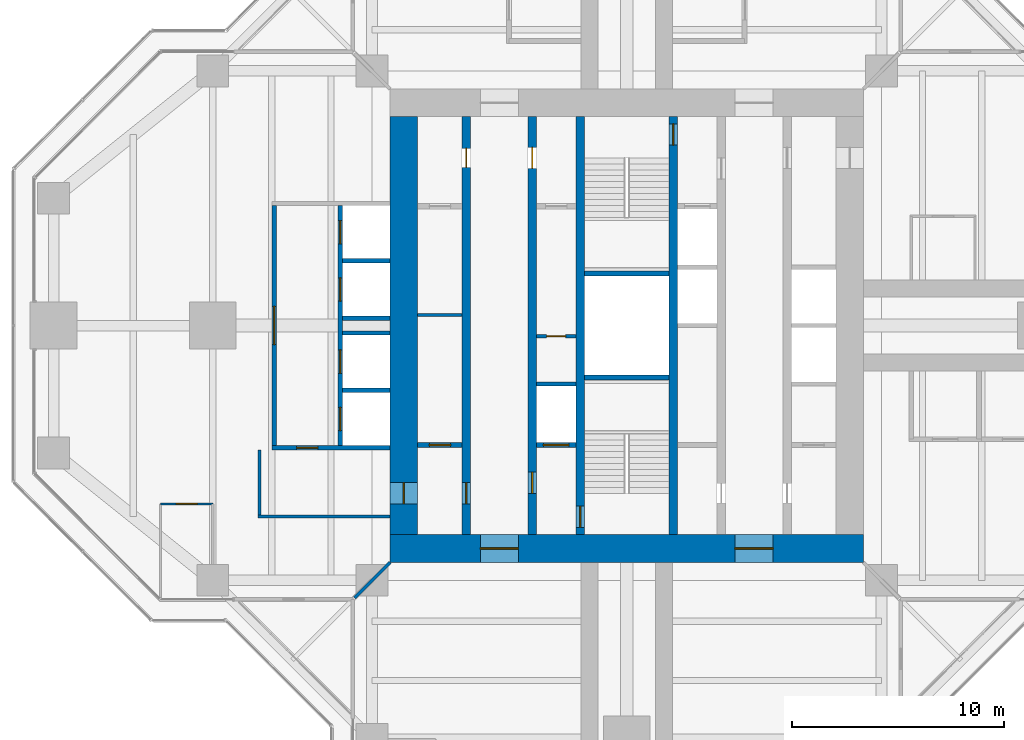
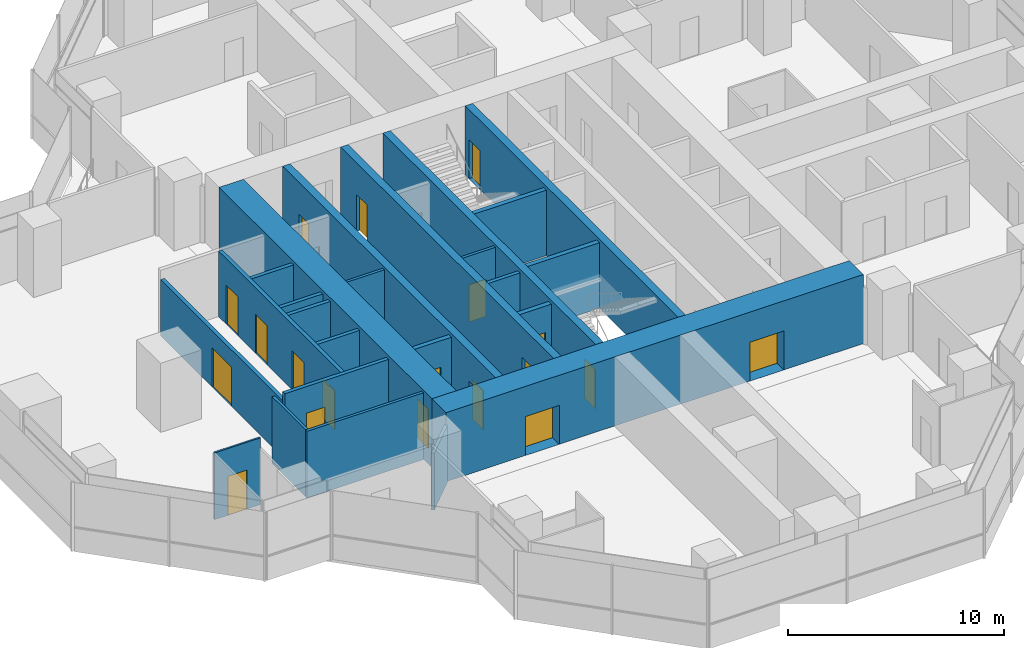
# One storey, part 13 of 17: 24 walls, 19 doors, 19 openings.
"""IFC4 building model written with IfcOpenShell, lengths in metres."""

from ifc_helpers import new_model, si_unit, direction, frame, frame_2d, origin, place, context, subcontext, project, spatial, rectangle, extrude, material, layer, layer_set, type_object, element, fill, save


model = new_model("IFC4")

# Units and contexts
model_context = context("Model", 3, precision=1e-05, world=origin(), true_north=direction((0.0, 1.0)))
body_context = subcontext(model_context, "Body", "Model", "MODEL_VIEW")
ifc_project = project(units=[si_unit("LENGTHUNIT", "METRE"), si_unit("AREAUNIT", "SQUARE_METRE"), si_unit("VOLUMEUNIT", "CUBIC_METRE"), si_unit("PLANEANGLEUNIT", "RADIAN"), si_unit("MASSUNIT", "GRAM", prefix="KILO")], contexts=[model_context])

# Site, building, storey
site_placement = place(None, origin())
site = spatial("IfcSite", under=ifc_project, at=site_placement, CompositionType="ELEMENT")
building_placement = place(site_placement, origin())
building = spatial("IfcBuilding", under=site, at=building_placement, Name="Mizan Broadcast Tower", CompositionType="ELEMENT")
storey_placement = place(building_placement, frame((0.0, 0.0, 232.199951171875)))
storey = spatial("IfcBuildingStorey", under=building, at=storey_placement, Name="L54", CompositionType="ELEMENT", Elevation=232.199951171875)

# Wall, openings, doors
ifc_material_1 = material(Name="Concrete C70/85", Category="concrete")
ifc_layer_1 = layer(ifc_material_1, 0.39990234375)
ifc_layer_set_1 = layer_set([ifc_layer_1], Name="Concrete C70/85")
wall_type_1 = type_object("IfcWallType", Name="CORE INTERNAL WALL 400", PredefinedType="SHEAR", material=ifc_layer_set_1)
wall_1_placement = place(storey_placement, frame((-7.550048828125, -9.85009765625, 0.0), z_axis=(0.0, 0.0, 1.0), x_axis=(0.0, 1.0, 0.0)))
wall_1 = element("IfcWall", 1, at=wall_1_placement, inside=storey, type_object=wall_type_1, Name="Core wall CORE/XW1", PredefinedType="SHEAR", context=body_context, shape_type="SweptSolid", body=[
    extrude(rectangle(XDim=19.7001953125, YDim=0.39990234375, at=frame_2d((9.85009765625, 0.0))), origin(), (0.0, 0.0, 1.0), 3.900146484375),
])
opening_1_placement = place(wall_1_placement, frame((1.449951171875, 0.0, 0.0)))
opening_1 = element("IfcOpeningElement", 2, at=opening_1_placement, cuts=wall_1, Name="Opening D10F", PredefinedType="OPENING", context=body_context, shape_type="SweptSolid", body=[
    extrude(rectangle(XDim=1.0, YDim=2.199951171875, at=frame_2d((0.5, 1.10009765625))), frame((0.0, 0.2099609375, 0.0), z_axis=(0.0, -1.0, 0.0), x_axis=(1.0, 0.0, 0.0)), (0.0, 0.0, 1.0), 0.419921875),
])
opening_2_placement = place(wall_1_placement, frame((17.300048828125, 0.0, 0.0)))
opening_2 = element("IfcOpeningElement", 3, at=opening_2_placement, cuts=wall_1, Name="Opening D09", PredefinedType="OPENING", context=body_context, shape_type="SweptSolid", body=[
    extrude(rectangle(XDim=0.89990234375, YDim=2.10009765625, at=frame_2d((0.449951171875, 1.050048828125))), frame((0.0, 0.2099609375, 0.0), z_axis=(0.0, -1.0, 0.0), x_axis=(1.0, 0.0, 0.0)), (0.0, 0.0, 1.0), 0.419921875),
])
ifc_material_2 = material(Name="Steel door leaf in steel frame", Category="steel")
door_type_1 = type_object("IfcDoorType", Name="FIRE DOOR 1000 FD90", OperationType="SINGLE_SWING_LEFT", PredefinedType="DOOR", material=ifc_material_2)
door_1_placement = place(opening_1_placement, origin())
door_1 = element("IfcDoor", 4, at=door_1_placement, inside=storey, type_object=door_type_1, Name="West core passage door", OperationType="SINGLE_SWING_LEFT", OverallHeight=2.199951171875, OverallWidth=1.0, PredefinedType="DOOR", context=body_context, shape_type="SweptSolid", body=[
    extrude(rectangle(XDim=1.0, YDim=2.199951171875, at=frame_2d((0.5, 1.10009765625))), frame((0.0, 0.02490234375, 0.0), z_axis=(0.0, -1.0, 0.0), x_axis=(1.0, 0.0, 0.0)), (0.0, 0.0, 1.0), 0.050048828125),
])
fill(opening_1, door_1)
ifc_material_3 = material(Name="Timber door leaf in aluminium frame", Category="wood")
door_type_2 = type_object("IfcDoorType", Name="TOILET DOOR 900", OperationType="SINGLE_SWING_LEFT", PredefinedType="DOOR", material=ifc_material_3)
door_2_placement = place(opening_2_placement, origin())
door_2 = element("IfcDoor", 5, at=door_2_placement, inside=storey, type_object=door_type_2, Name="Male WC door", OperationType="SINGLE_SWING_RIGHT", OverallHeight=2.10009765625, OverallWidth=0.89990234375, PredefinedType="DOOR", context=body_context, shape_type="SweptSolid", body=[
    extrude(rectangle(XDim=0.89990234375, YDim=2.10009765625, at=frame_2d((0.449951171875, 1.050048828125))), frame((0.0, 0.02490234375, 0.0), z_axis=(0.0, -1.0, 0.0), x_axis=(1.0, 0.0, 0.0)), (0.0, 0.0, 1.0), 0.050048828125),
])
fill(opening_2, door_2)

wall_2_placement = place(storey_placement, frame((-4.449951171875, -9.85009765625, 0.0), z_axis=(0.0, 0.0, 1.0), x_axis=(0.0, 1.0, 0.0)))
wall_2 = element("IfcWall", 6, at=wall_2_placement, inside=storey, type_object=wall_type_1, Name="Core wall CORE/XWH", PredefinedType="SHEAR", context=body_context, shape_type="SweptSolid", body=[
    extrude(rectangle(XDim=19.7001953125, YDim=0.39990234375, at=frame_2d((9.85009765625, 0.0))), origin(), (0.0, 0.0, 1.0), 3.900146484375),
])
opening_3_placement = place(wall_2_placement, frame((1.949951171875, 0.0, 0.0)))
opening_3 = element("IfcOpeningElement", 7, at=opening_3_placement, cuts=wall_2, Name="Opening D10F", PredefinedType="OPENING", context=body_context, shape_type="SweptSolid", body=[
    extrude(rectangle(XDim=1.0, YDim=2.199951171875, at=frame_2d((0.5, 1.10009765625))), frame((0.0, 0.2099609375, 0.0), z_axis=(0.0, -1.0, 0.0), x_axis=(1.0, 0.0, 0.0)), (0.0, 0.0, 1.0), 0.419921875),
])
opening_4_placement = place(wall_2_placement, frame((17.25, 0.0, 0.0)))
opening_4 = element("IfcOpeningElement", 8, at=opening_4_placement, cuts=wall_2, Name="Opening D10A", PredefinedType="OPENING", context=body_context, shape_type="SweptSolid", body=[
    extrude(rectangle(XDim=1.0, YDim=2.10009765625, at=frame_2d((0.5, 1.050048828125))), frame((0.0, 0.2099609375, 0.0), z_axis=(0.0, -1.0, 0.0), x_axis=(1.0, 0.0, 0.0)), (0.0, 0.0, 1.0), 0.419921875),
])
ifc_material_4 = material(Name="Timber door leaf in aluminium frame", Category="wood")
door_type_3 = type_object("IfcDoorType", Name="ACCESSIBLE WC DOOR 1000", OperationType="SLIDING_TO_LEFT", PredefinedType="DOOR", material=ifc_material_4)
door_3_placement = place(opening_4_placement, origin())
door_3 = element("IfcDoor", 9, at=door_3_placement, inside=storey, type_object=door_type_3, Name="Accessible WC door", OperationType="SLIDING_TO_LEFT", OverallHeight=2.10009765625, OverallWidth=1.0, PredefinedType="DOOR", context=body_context, shape_type="SweptSolid", body=[
    extrude(rectangle(XDim=1.0, YDim=2.10009765625, at=frame_2d((0.5, 1.050048828125))), frame((0.0, 0.02490234375, 0.0), z_axis=(0.0, -1.0, 0.0), x_axis=(1.0, 0.0, 0.0)), (0.0, 0.0, 1.0), 0.050048828125),
])
fill(opening_4, door_3)
door_4_placement = place(opening_3_placement, origin())
door_4 = element("IfcDoor", 10, at=door_4_placement, inside=storey, type_object=door_type_1, Name="Firefighting lobby A door", OperationType="SINGLE_SWING_LEFT", OverallHeight=2.199951171875, OverallWidth=1.0, PredefinedType="DOOR", context=body_context, shape_type="SweptSolid", body=[
    extrude(rectangle(XDim=1.0, YDim=2.199951171875, at=frame_2d((0.5, 1.10009765625))), frame((0.0, 0.02490234375, 0.0), z_axis=(0.0, -1.0, 0.0), x_axis=(1.0, 0.0, 0.0)), (0.0, 0.0, 1.0), 0.050048828125),
])
fill(opening_3, door_4)

# Wall, opening, door
wall_3_placement = place(storey_placement, frame((-2.199951171875, -9.85009765625, 0.0), z_axis=(0.0, 0.0, 1.0), x_axis=(0.0, 1.0, 0.0)))
wall_3 = element("IfcWall", 11, at=wall_3_placement, inside=storey, type_object=wall_type_1, Name="Core wall CORE/XW2", PredefinedType="SHEAR", context=body_context, shape_type="SweptSolid", body=[
    extrude(rectangle(XDim=19.7001953125, YDim=0.39990234375, at=frame_2d((9.85009765625, 0.0))), origin(), (0.0, 0.0, 1.0), 3.900146484375),
])
opening_5_placement = place(wall_3_placement, frame((0.35009765625, 0.0, 0.0)))
opening_5 = element("IfcOpeningElement", 12, at=opening_5_placement, cuts=wall_3, Name="Opening D10S", PredefinedType="OPENING", context=body_context, shape_type="SweptSolid", body=[
    extrude(rectangle(XDim=1.0, YDim=2.199951171875, at=frame_2d((0.5, 1.10009765625))), frame((0.0, 0.2099609375, 0.0), z_axis=(0.0, -1.0, 0.0), x_axis=(1.0, 0.0, 0.0)), (0.0, 0.0, 1.0), 0.419921875),
])
ifc_material_5 = material(Name="Steel door leaf in steel frame", Category="steel")
door_type_4 = type_object("IfcDoorType", Name="STAIR DOOR 1000 FD90S", OperationType="SINGLE_SWING_RIGHT", PredefinedType="DOOR", material=ifc_material_5)
door_5_placement = place(opening_5_placement, origin())
door_5 = element("IfcDoor", 13, at=door_5_placement, inside=storey, type_object=door_type_4, Name="Stair A door", OperationType="SINGLE_SWING_RIGHT", OverallHeight=2.199951171875, OverallWidth=1.0, PredefinedType="DOOR", context=body_context, shape_type="SweptSolid", body=[
    extrude(rectangle(XDim=1.0, YDim=2.199951171875, at=frame_2d((0.5, 1.10009765625))), frame((0.0, 0.02490234375, 0.0), z_axis=(0.0, -1.0, 0.0), x_axis=(1.0, 0.0, 0.0)), (0.0, 0.0, 1.0), 0.050048828125),
])
fill(opening_5, door_5)

wall_4_placement = place(storey_placement, frame((2.199951171875, 9.85009765625, 0.0), z_axis=(0.0, 0.0, 1.0), x_axis=(0.0, -1.0, 0.0)))
wall_4 = element("IfcWall", 14, at=wall_4_placement, inside=storey, type_object=wall_type_1, Name="Core wall CORE/XW2E", PredefinedType="SHEAR", context=body_context, shape_type="SweptSolid", body=[
    extrude(rectangle(XDim=19.7001953125, YDim=0.39990234375, at=frame_2d((9.85009765625, 0.0))), origin(), (0.0, 0.0, 1.0), 3.900146484375),
])
opening_6_placement = place(wall_4_placement, frame((0.35009765625, 0.0, 0.0)))
opening_6 = element("IfcOpeningElement", 15, at=opening_6_placement, cuts=wall_4, Name="Opening D10S", PredefinedType="OPENING", context=body_context, shape_type="SweptSolid", body=[
    extrude(rectangle(XDim=1.0, YDim=2.199951171875, at=frame_2d((0.5, 1.10009765625))), frame((0.0, 0.2099609375, 0.0), z_axis=(0.0, -1.0, 0.0), x_axis=(1.0, 0.0, 0.0)), (0.0, 0.0, 1.0), 0.419921875),
])
door_6_placement = place(opening_6_placement, origin())
door_6 = element("IfcDoor", 16, at=door_6_placement, inside=storey, type_object=door_type_4, Name="Stair B door", OperationType="SINGLE_SWING_RIGHT", OverallHeight=2.199951171875, OverallWidth=1.0, PredefinedType="DOOR", context=body_context, shape_type="SweptSolid", body=[
    extrude(rectangle(XDim=1.0, YDim=2.199951171875, at=frame_2d((0.5, 1.10009765625))), frame((0.0, 0.02490234375, 0.0), z_axis=(0.0, -1.0, 0.0), x_axis=(1.0, 0.0, 0.0)), (0.0, 0.0, 1.0), 0.050048828125),
])
fill(opening_6, door_6)

# Wall
ifc_material_6 = material(Name="Concrete blockwork", Category="masonry")
ifc_layer_2 = layer(ifc_material_6, 0.14990234375)
ifc_layer_set_2 = layer_set([ifc_layer_2], Name="Concrete blockwork")
wall_type_2 = type_object("IfcWallType", Name="CORE PARTITION 150", PredefinedType="SOLIDWALL", material=ifc_layer_set_2)
wall_5_placement = place(storey_placement, frame((-9.85009765625, 0.5, 0.0), z_axis=(0.0, 0.0, 1.0), x_axis=(1.0, 0.0, 0.0)))
element("IfcWall", 17, at=wall_5_placement, inside=storey, type_object=wall_type_2, Name="Core partition CORE/XP1", PredefinedType="SOLIDWALL", context=body_context, shape_type="SweptSolid", body=[
    extrude(rectangle(XDim=2.10009765625, YDim=0.14990234375, at=frame_2d((1.050048828125, 0.0))), origin(), (0.0, 0.0, 1.0), 3.77001953125),
])

# Wall, opening, door
wall_6_placement = place(storey_placement, frame((-4.25, -0.5, 0.0), z_axis=(0.0, 0.0, 1.0), x_axis=(1.0, 0.0, 0.0)))
wall_6 = element("IfcWall", 18, at=wall_6_placement, inside=storey, type_object=wall_type_2, Name="Core partition CORE/XP2", PredefinedType="SOLIDWALL", context=body_context, shape_type="SweptSolid", body=[
    extrude(rectangle(XDim=1.85009765625, YDim=0.14990234375, at=frame_2d((0.925048828125, 0.0))), origin(), (0.0, 0.0, 1.0), 3.77001953125),
])
opening_7_placement = place(wall_6_placement, frame((0.47509765625, 0.0, 0.0)))
opening_7 = element("IfcOpeningElement", 19, at=opening_7_placement, cuts=wall_6, Name="Opening D09F", PredefinedType="OPENING", context=body_context, shape_type="SweptSolid", body=[
    extrude(rectangle(XDim=0.89990234375, YDim=2.10009765625, at=frame_2d((0.449951171875, 1.050048828125))), frame((0.0, 0.0849609375, 0.0), z_axis=(0.0, -1.0, 0.0), x_axis=(1.0, 0.0, 0.0)), (0.0, 0.0, 1.0), 0.169921875),
])
ifc_material_7 = material(Name="Steel door leaf in steel frame", Category="steel")
door_type_5 = type_object("IfcDoorType", Name="CORE ROOM DOOR 900 FD90", OperationType="SINGLE_SWING_LEFT", PredefinedType="DOOR", material=ifc_material_7)
door_7_placement = place(opening_7_placement, origin())
door_7 = element("IfcDoor", 20, at=door_7_placement, inside=storey, type_object=door_type_5, Name="Staff shower room door", OperationType="SINGLE_SWING_RIGHT", OverallHeight=2.10009765625, OverallWidth=0.89990234375, PredefinedType="DOOR", context=body_context, shape_type="SweptSolid", body=[
    extrude(rectangle(XDim=0.89990234375, YDim=2.10009765625, at=frame_2d((0.449951171875, 1.050048828125))), frame((0.0, 0.02490234375, 0.0), z_axis=(0.0, -1.0, 0.0), x_axis=(1.0, 0.0, 0.0)), (0.0, 0.0, 1.0), 0.050048828125),
])
fill(opening_7, door_7)

# Wall, openings, doors
ifc_material_8 = material(Name="Concrete C70/85", Category="concrete")
ifc_layer_3 = layer(ifc_material_8, 1.300048828125)
ifc_layer_set_3 = layer_set([ifc_layer_3], Name="Concrete C70/85")
wall_type_3 = type_object("IfcWallType", Name="CORE WALL 1300", PredefinedType="SHEAR", material=ifc_layer_set_3)
wall_7_placement = place(storey_placement, frame((11.14990234375, -10.5, 0.0), z_axis=(0.0, 0.0, 1.0), x_axis=(-1.0, 0.0, 0.0)))
wall_7 = element("IfcWall", 21, at=wall_7_placement, inside=storey, type_object=wall_type_3, Name="Core wall S L54", PredefinedType="SHEAR", context=body_context, shape_type="SweptSolid", body=[
    extrude(rectangle(XDim=22.2998046875, YDim=1.300048828125, at=frame_2d((11.14990234375, 0.0))), origin(), (0.0, 0.0, 1.0), 3.900146484375),
])
opening_8_placement = place(wall_7_placement, frame((16.25, 0.0, 0.0)))
opening_8 = element("IfcOpeningElement", 22, at=opening_8_placement, cuts=wall_7, Name="Opening D18F", PredefinedType="OPENING", context=body_context, shape_type="SweptSolid", body=[
    extrude(rectangle(XDim=1.800048828125, YDim=2.199951171875, at=frame_2d((0.89990234375, 1.10009765625))), frame((0.0, 0.659912109375, 0.0), z_axis=(0.0, -1.0, 0.0), x_axis=(1.0, 0.0, 0.0)), (0.0, 0.0, 1.0), 1.320068359375),
])
opening_9_placement = place(wall_7_placement, frame((4.25, 0.0, 0.0)))
opening_9 = element("IfcOpeningElement", 23, at=opening_9_placement, cuts=wall_7, Name="Opening D18F", PredefinedType="OPENING", context=body_context, shape_type="SweptSolid", body=[
    extrude(rectangle(XDim=1.800048828125, YDim=2.199951171875, at=frame_2d((0.89990234375, 1.10009765625))), frame((0.0, 0.659912109375, 0.0), z_axis=(0.0, -1.0, 0.0), x_axis=(1.0, 0.0, 0.0)), (0.0, 0.0, 1.0), 1.320068359375),
])
ifc_material_9 = material(Name="Steel door leaf in steel frame", Category="steel")
door_type_6 = type_object("IfcDoorType", Name="LOBBY DOUBLE DOOR 1800 FD90", OperationType="DOUBLE_DOOR_DOUBLE_SWING", PredefinedType="DOOR", material=ifc_material_9)
door_8_placement = place(opening_8_placement, origin())
door_8 = element("IfcDoor", 24, at=door_8_placement, inside=storey, type_object=door_type_6, Name="West lift lobby south door", OperationType="DOUBLE_DOOR_DOUBLE_SWING", OverallHeight=2.199951171875, OverallWidth=1.800048828125, PredefinedType="DOOR", context=body_context, shape_type="SweptSolid", body=[
    extrude(rectangle(XDim=1.800048828125, YDim=2.199951171875, at=frame_2d((0.89990234375, 1.10009765625))), frame((0.0, 0.02490234375, 0.0), z_axis=(0.0, -1.0, 0.0), x_axis=(1.0, 0.0, 0.0)), (0.0, 0.0, 1.0), 0.050048828125),
])
fill(opening_8, door_8)
door_9_placement = place(opening_9_placement, origin())
door_9 = element("IfcDoor", 25, at=door_9_placement, inside=storey, type_object=door_type_6, Name="East lift lobby south door", OperationType="DOUBLE_DOOR_DOUBLE_SWING", OverallHeight=2.199951171875, OverallWidth=1.800048828125, PredefinedType="DOOR", context=body_context, shape_type="SweptSolid", body=[
    extrude(rectangle(XDim=1.800048828125, YDim=2.199951171875, at=frame_2d((0.89990234375, 1.10009765625))), frame((0.0, 0.02490234375, 0.0), z_axis=(0.0, -1.0, 0.0), x_axis=(1.0, 0.0, 0.0)), (0.0, 0.0, 1.0), 0.050048828125),
])
fill(opening_9, door_9)

# Wall, opening, door
wall_8_placement = place(storey_placement, frame((-10.5, 9.85009765625, 0.0), z_axis=(0.0, 0.0, 1.0), x_axis=(0.0, -1.0, 0.0)))
wall_8 = element("IfcWall", 26, at=wall_8_placement, inside=storey, type_object=wall_type_3, Name="Core wall W L54", PredefinedType="SHEAR", context=body_context, shape_type="SweptSolid", body=[
    extrude(rectangle(XDim=19.7001953125, YDim=1.300048828125, at=frame_2d((9.85009765625, 0.0))), origin(), (0.0, 0.0, 1.0), 3.900146484375),
])
opening_10_placement = place(wall_8_placement, frame((17.25, 0.0, 0.0)))
opening_10 = element("IfcOpeningElement", 27, at=opening_10_placement, cuts=wall_8, Name="Opening D10F", PredefinedType="OPENING", context=body_context, shape_type="SweptSolid", body=[
    extrude(rectangle(XDim=1.0, YDim=2.199951171875, at=frame_2d((0.5, 1.10009765625))), frame((0.0, 0.659912109375, 0.0), z_axis=(0.0, -1.0, 0.0), x_axis=(1.0, 0.0, 0.0)), (0.0, 0.0, 1.0), 1.320068359375),
])
door_10_placement = place(opening_10_placement, origin())
door_10 = element("IfcDoor", 28, at=door_10_placement, inside=storey, type_object=door_type_1, Name="West core passage arm door", OperationType="SINGLE_SWING_RIGHT", OverallHeight=2.199951171875, OverallWidth=1.0, PredefinedType="DOOR", context=body_context, shape_type="SweptSolid", body=[
    extrude(rectangle(XDim=1.0, YDim=2.199951171875, at=frame_2d((0.5, 1.10009765625))), frame((0.0, 0.02490234375, 0.0), z_axis=(0.0, -1.0, 0.0), x_axis=(1.0, 0.0, 0.0)), (0.0, 0.0, 1.0), 0.050048828125),
])
fill(opening_10, door_10)

# Wall
ifc_material_10 = material(Name="Concrete blockwork", Category="masonry")
ifc_layer_4 = layer(ifc_material_10, 0.199951171875)
ifc_layer_set_4 = layer_set([ifc_layer_4], Name="Concrete blockwork")
wall_type_4 = type_object("IfcWallType", Name="LIFT SHAFT WALL 200", PredefinedType="SOLIDWALL", material=ifc_layer_set_4)
wall_9_placement = place(storey_placement, frame((-4.25, -2.75, 0.0), z_axis=(0.0, 0.0, 1.0), x_axis=(1.0, 0.0, 0.0)))
element("IfcWall", 29, at=wall_9_placement, inside=storey, type_object=wall_type_4, Name="Lift shaft wall CORE/SW2-1", PredefinedType="SOLIDWALL", context=body_context, shape_type="SweptSolid", body=[
    extrude(rectangle(XDim=1.85009765625, YDim=0.199951171875, at=frame_2d((0.925048828125, 0.0))), origin(), (0.0, 0.0, 1.0), 3.699951171875),
])

# Wall, openings, doors
wall_10_placement = place(storey_placement, frame((-13.5, 5.64990234375, 0.0), z_axis=(0.0, 0.0, 1.0), x_axis=(0.0, -1.0, 0.0)))
wall_10 = element("IfcWall", 30, at=wall_10_placement, inside=storey, type_object=wall_type_4, Name="Lift shaft wall LC/F", PredefinedType="SOLIDWALL", context=body_context, shape_type="SweptSolid", body=[
    extrude(rectangle(XDim=11.2998046875, YDim=0.199951171875, at=frame_2d((5.64990234375, 0.0))), origin(), (0.0, 0.0, 1.0), 3.699951171875),
])
opening_11_placement = place(wall_10_placement, frame((0.699951171875, 0.0, 0.0)))
opening_11 = element("IfcOpeningElement", 31, at=opening_11_placement, cuts=wall_10, Name="Opening LD", PredefinedType="OPENING", context=body_context, shape_type="SweptSolid", body=[
    extrude(rectangle(XDim=1.10009765625, YDim=2.199951171875, at=frame_2d((0.550048828125, 1.10009765625))), frame((0.0, 0.10986328125, 0.0), z_axis=(0.0, -1.0, 0.0), x_axis=(1.0, 0.0, 0.0)), (0.0, 0.0, 1.0), 0.219970703125),
])
opening_12_placement = place(wall_10_placement, frame((3.39990234375, 0.0, 0.0)))
opening_12 = element("IfcOpeningElement", 32, at=opening_12_placement, cuts=wall_10, Name="Opening LD", PredefinedType="OPENING", context=body_context, shape_type="SweptSolid", body=[
    extrude(rectangle(XDim=1.10009765625, YDim=2.199951171875, at=frame_2d((0.550048828125, 1.10009765625))), frame((0.0, 0.10986328125, 0.0), z_axis=(0.0, -1.0, 0.0), x_axis=(1.0, 0.0, 0.0)), (0.0, 0.0, 1.0), 0.219970703125),
])
opening_13_placement = place(wall_10_placement, frame((6.800048828125, 0.0, 0.0)))
opening_13 = element("IfcOpeningElement", 33, at=opening_13_placement, cuts=wall_10, Name="Opening LD", PredefinedType="OPENING", context=body_context, shape_type="SweptSolid", body=[
    extrude(rectangle(XDim=1.10009765625, YDim=2.199951171875, at=frame_2d((0.550048828125, 1.10009765625))), frame((0.0, 0.10986328125, 0.0), z_axis=(0.0, -1.0, 0.0), x_axis=(1.0, 0.0, 0.0)), (0.0, 0.0, 1.0), 0.219970703125),
])
opening_14_placement = place(wall_10_placement, frame((9.5, 0.0, 0.0)))
opening_14 = element("IfcOpeningElement", 34, at=opening_14_placement, cuts=wall_10, Name="Opening LD", PredefinedType="OPENING", context=body_context, shape_type="SweptSolid", body=[
    extrude(rectangle(XDim=1.10009765625, YDim=2.199951171875, at=frame_2d((0.550048828125, 1.10009765625))), frame((0.0, 0.10986328125, 0.0), z_axis=(0.0, -1.0, 0.0), x_axis=(1.0, 0.0, 0.0)), (0.0, 0.0, 1.0), 0.219970703125),
])
ifc_material_11 = material(Name="Steel door leaf in steel frame", Category="steel")
door_type_7 = type_object("IfcDoorType", Name="LIFT LANDING DOOR 1100", OperationType="SLIDING_TO_LEFT", PredefinedType="DOOR", material=ifc_material_11)
door_11_placement = place(opening_11_placement, origin())
door_11 = element("IfcDoor", 35, at=door_11_placement, inside=storey, type_object=door_type_7, Name="Landing door LC1", OperationType="SLIDING_TO_LEFT", OverallHeight=2.199951171875, OverallWidth=1.10009765625, PredefinedType="DOOR", context=body_context, shape_type="SweptSolid", body=[
    extrude(rectangle(XDim=1.10009765625, YDim=2.199951171875, at=frame_2d((0.550048828125, 1.10009765625))), frame((0.0, 0.02490234375, 0.0), z_axis=(0.0, -1.0, 0.0), x_axis=(1.0, 0.0, 0.0)), (0.0, 0.0, 1.0), 0.050048828125),
])
fill(opening_11, door_11)
door_12_placement = place(opening_12_placement, origin())
door_12 = element("IfcDoor", 36, at=door_12_placement, inside=storey, type_object=door_type_7, Name="Landing door LC2", OperationType="SLIDING_TO_LEFT", OverallHeight=2.199951171875, OverallWidth=1.10009765625, PredefinedType="DOOR", context=body_context, shape_type="SweptSolid", body=[
    extrude(rectangle(XDim=1.10009765625, YDim=2.199951171875, at=frame_2d((0.550048828125, 1.10009765625))), frame((0.0, 0.02490234375, 0.0), z_axis=(0.0, -1.0, 0.0), x_axis=(1.0, 0.0, 0.0)), (0.0, 0.0, 1.0), 0.050048828125),
])
fill(opening_12, door_12)
door_13_placement = place(opening_13_placement, origin())
door_13 = element("IfcDoor", 37, at=door_13_placement, inside=storey, type_object=door_type_7, Name="Landing door LC3", OperationType="SLIDING_TO_LEFT", OverallHeight=2.199951171875, OverallWidth=1.10009765625, PredefinedType="DOOR", context=body_context, shape_type="SweptSolid", body=[
    extrude(rectangle(XDim=1.10009765625, YDim=2.199951171875, at=frame_2d((0.550048828125, 1.10009765625))), frame((0.0, 0.02490234375, 0.0), z_axis=(0.0, -1.0, 0.0), x_axis=(1.0, 0.0, 0.0)), (0.0, 0.0, 1.0), 0.050048828125),
])
fill(opening_13, door_13)
door_14_placement = place(opening_14_placement, origin())
door_14 = element("IfcDoor", 38, at=door_14_placement, inside=storey, type_object=door_type_7, Name="Landing door LC4", OperationType="SLIDING_TO_LEFT", OverallHeight=2.199951171875, OverallWidth=1.10009765625, PredefinedType="DOOR", context=body_context, shape_type="SweptSolid", body=[
    extrude(rectangle(XDim=1.10009765625, YDim=2.199951171875, at=frame_2d((0.550048828125, 1.10009765625))), frame((0.0, 0.02490234375, 0.0), z_axis=(0.0, -1.0, 0.0), x_axis=(1.0, 0.0, 0.0)), (0.0, 0.0, 1.0), 0.050048828125),
])
fill(opening_14, door_14)

# Wall, opening, door
wall_11_placement = place(storey_placement, frame((-11.14990234375, -5.75, 0.0), z_axis=(0.0, 0.0, 1.0), x_axis=(-1.0, 0.0, 0.0)))
wall_11 = element("IfcWall", 39, at=wall_11_placement, inside=storey, type_object=wall_type_4, Name="Lift shaft wall LC/S2", PredefinedType="SOLIDWALL", context=body_context, shape_type="SweptSolid", body=[
    extrude(rectangle(XDim=5.550048828125, YDim=0.199951171875, at=frame_2d((2.77490234375, 0.0))), origin(), (0.0, 0.0, 1.0), 3.699951171875),
])
opening_15_placement = place(wall_11_placement, frame((3.39990234375, 0.0, 0.0)))
opening_15 = element("IfcOpeningElement", 40, at=opening_15_placement, cuts=wall_11, Name="Opening D10F", PredefinedType="OPENING", context=body_context, shape_type="SweptSolid", body=[
    extrude(rectangle(XDim=1.0, YDim=2.199951171875, at=frame_2d((0.5, 1.10009765625))), frame((0.0, 0.10986328125, 0.0), z_axis=(0.0, -1.0, 0.0), x_axis=(1.0, 0.0, 0.0)), (0.0, 0.0, 1.0), 0.219970703125),
])
door_15_placement = place(opening_15_placement, origin())
door_15 = element("IfcDoor", 41, at=door_15_placement, inside=storey, type_object=door_type_1, Name="High-rise lobby corridor door", OperationType="SINGLE_SWING_RIGHT", OverallHeight=2.199951171875, OverallWidth=1.0, PredefinedType="DOOR", context=body_context, shape_type="SweptSolid", body=[
    extrude(rectangle(XDim=1.0, YDim=2.199951171875, at=frame_2d((0.5, 1.10009765625))), frame((0.0, 0.02490234375, 0.0), z_axis=(0.0, -1.0, 0.0), x_axis=(1.0, 0.0, 0.0)), (0.0, 0.0, 1.0), 0.050048828125),
])
fill(opening_15, door_15)

# Walls
for number, where, z_axis, x_axis, name in (
    (42, (-11.14990234375, 3.050048828125, 0.0), (0.0, 0.0, 1.0), (-1.0, 0.0, 0.0), "Lift shaft wall LC/SP1"),
    (43, (-11.14990234375, 0.35009765625, 0.0), (0.0, 0.0, 1.0), (-1.0, 0.0, 0.0), "Lift shaft wall LC/SP2"),
    (44, (-11.14990234375, -0.35009765625, 0.0), (0.0, 0.0, 1.0), (-1.0, 0.0, 0.0), "Lift shaft wall LC/SP3"),
    (45, (-11.14990234375, -3.050048828125, 0.0), (0.0, 0.0, 1.0), (-1.0, 0.0, 0.0), "Lift shaft wall LC/SP4"),
):
    element("IfcWall", number, at=place(storey_placement, frame(where, z_axis=z_axis, x_axis=x_axis)), inside=storey, type_object=wall_type_4, Name=name, PredefinedType="SOLIDWALL", context=body_context, shape_type="SweptSolid", body=[
        extrude(rectangle(XDim=2.25, YDim=0.199951171875, at=frame_2d((1.125, 0.0))), origin(), (0.0, 0.0, 1.0), 3.699951171875),
    ])

# Wall, opening, door
ifc_material_12 = material(Name="Concrete blockwork", Category="masonry")
ifc_layer_5 = layer(ifc_material_12, 0.25)
ifc_layer_set_5 = layer_set([ifc_layer_5], Name="Concrete blockwork")
wall_type_5 = type_object("IfcWallType", Name="LOBBY ENCLOSURE WALL 250", PredefinedType="SOLIDWALL", material=ifc_layer_set_5)
wall_12_placement = place(storey_placement, frame((-9.85009765625, -5.625, 0.0), z_axis=(0.0, 0.0, 1.0), x_axis=(1.0, 0.0, 0.0)))
wall_12 = element("IfcWall", 46, at=wall_12_placement, inside=storey, type_object=wall_type_5, Name="Lobby enclosure wall CORE/BW1S", PredefinedType="SOLIDWALL", context=body_context, shape_type="SweptSolid", body=[
    extrude(rectangle(XDim=2.10009765625, YDim=0.25, at=frame_2d((1.050048828125, 0.0))), origin(), (0.0, 0.0, 1.0), 3.699951171875),
])
opening_16_placement = place(wall_12_placement, frame((0.550048828125, 0.0, 0.0)))
opening_16 = element("IfcOpeningElement", 47, at=opening_16_placement, cuts=wall_12, Name="Opening D10F", PredefinedType="OPENING", context=body_context, shape_type="SweptSolid", body=[
    extrude(rectangle(XDim=1.0, YDim=2.199951171875, at=frame_2d((0.5, 1.10009765625))), frame((0.0, 0.135009765625, 0.0), z_axis=(0.0, -1.0, 0.0), x_axis=(1.0, 0.0, 0.0)), (0.0, 0.0, 1.0), 0.27001953125),
])
door_16_placement = place(opening_16_placement, origin())
door_16 = element("IfcDoor", 48, at=door_16_placement, inside=storey, type_object=door_type_1, Name="Vending room door", OperationType="SINGLE_SWING_RIGHT", OverallHeight=2.199951171875, OverallWidth=1.0, PredefinedType="DOOR", context=body_context, shape_type="SweptSolid", body=[
    extrude(rectangle(XDim=1.0, YDim=2.199951171875, at=frame_2d((0.5, 1.10009765625))), frame((0.0, 0.02490234375, 0.0), z_axis=(0.0, -1.0, 0.0), x_axis=(1.0, 0.0, 0.0)), (0.0, 0.0, 1.0), 0.050048828125),
])
fill(opening_16, door_16)

wall_13_placement = place(storey_placement, frame((-4.25, -5.625, 0.0), z_axis=(0.0, 0.0, 1.0), x_axis=(1.0, 0.0, 0.0)))
wall_13 = element("IfcWall", 49, at=wall_13_placement, inside=storey, type_object=wall_type_5, Name="Lobby enclosure wall CORE/BW2S", PredefinedType="SOLIDWALL", context=body_context, shape_type="SweptSolid", body=[
    extrude(rectangle(XDim=1.85009765625, YDim=0.25, at=frame_2d((0.925048828125, 0.0))), origin(), (0.0, 0.0, 1.0), 3.699951171875),
])
opening_17_placement = place(wall_13_placement, frame((0.324951171875, 0.0, 0.0)))
opening_17 = element("IfcOpeningElement", 50, at=opening_17_placement, cuts=wall_13, Name="Opening LDF", PredefinedType="OPENING", context=body_context, shape_type="SweptSolid", body=[
    extrude(rectangle(XDim=1.199951171875, YDim=2.199951171875, at=frame_2d((0.60009765625, 1.10009765625))), frame((0.0, 0.135009765625, 0.0), z_axis=(0.0, -1.0, 0.0), x_axis=(1.0, 0.0, 0.0)), (0.0, 0.0, 1.0), 0.27001953125),
])
ifc_material_13 = material(Name="Steel door leaf in steel frame", Category="steel")
door_type_8 = type_object("IfcDoorType", Name="FIREFIGHTING LIFT LANDING DOOR 1200", OperationType="SLIDING_TO_LEFT", PredefinedType="DOOR", material=ifc_material_13)
door_17_placement = place(opening_17_placement, origin())
door_17 = element("IfcDoor", 51, at=door_17_placement, inside=storey, type_object=door_type_8, Name="Landing door FF1", OperationType="SLIDING_TO_LEFT", OverallHeight=2.199951171875, OverallWidth=1.199951171875, PredefinedType="DOOR", context=body_context, shape_type="SweptSolid", body=[
    extrude(rectangle(XDim=1.199951171875, YDim=2.199951171875, at=frame_2d((0.60009765625, 1.10009765625))), frame((0.0, 0.02490234375, 0.0), z_axis=(0.0, -1.0, 0.0), x_axis=(1.0, 0.0, 0.0)), (0.0, 0.0, 1.0), 0.050048828125),
])
fill(opening_17, door_17)

# Walls
for number, where, z_axis, x_axis, name in (
    (52, (-2.0, -2.449951171875, 0.0), (0.0, 0.0, 1.0), (1.0, 0.0, 0.0), "Lobby enclosure wall CORE/STA"),
    (53, (-2.0, 2.449951171875, 0.0), (0.0, 0.0, 1.0), (1.0, 0.0, 0.0), "Lobby enclosure wall CORE/STB"),
):
    element("IfcWall", number, at=place(storey_placement, frame(where, z_axis=z_axis, x_axis=x_axis)), inside=storey, type_object=wall_type_5, Name=name, PredefinedType="SOLIDWALL", context=body_context, shape_type="SweptSolid", body=[
        extrude(rectangle(XDim=4.0, YDim=0.25, at=frame_2d((2.0, 0.0))), origin(), (0.0, 0.0, 1.0), 3.699951171875),
    ])

# Wall, opening, door
wall_14_placement = place(storey_placement, frame((-16.60009765625, 5.64990234375, 0.0), z_axis=(0.0, 0.0, 1.0), x_axis=(0.0, -1.0, 0.0)))
wall_14 = element("IfcWall", 54, at=wall_14_placement, inside=storey, type_object=wall_type_5, Name="Lobby enclosure wall LC/LF", PredefinedType="SOLIDWALL", context=body_context, shape_type="SweptSolid", body=[
    extrude(rectangle(XDim=11.2998046875, YDim=0.199951171875, at=frame_2d((5.64990234375, 0.0))), origin(), (0.0, 0.0, 1.0), 3.179931640625),
])
opening_18_placement = place(wall_14_placement, frame((4.75, 0.0, 0.0)))
opening_18 = element("IfcOpeningElement", 55, at=opening_18_placement, cuts=wall_14, Name="Opening D18F", PredefinedType="OPENING", context=body_context, shape_type="SweptSolid", body=[
    extrude(rectangle(XDim=1.800048828125, YDim=2.199951171875, at=frame_2d((0.89990234375, 1.10009765625))), frame((0.0, 0.10986328125, 0.0), z_axis=(0.0, -1.0, 0.0), x_axis=(1.0, 0.0, 0.0)), (0.0, 0.0, 1.0), 0.219970703125),
])
door_18_placement = place(opening_18_placement, origin())
door_18 = element("IfcDoor", 56, at=door_18_placement, inside=storey, type_object=door_type_6, Name="High-rise lift lobby door", OperationType="DOUBLE_DOOR_DOUBLE_SWING", OverallHeight=2.199951171875, OverallWidth=1.800048828125, PredefinedType="DOOR", context=body_context, shape_type="SweptSolid", body=[
    extrude(rectangle(XDim=1.800048828125, YDim=2.199951171875, at=frame_2d((0.89990234375, 1.10009765625))), frame((0.0, 0.02490234375, 0.0), z_axis=(0.0, -1.0, 0.0), x_axis=(1.0, 0.0, 0.0)), (0.0, 0.0, 1.0), 0.050048828125),
])
fill(opening_18, door_18)

# Walls
ifc_material_14 = material(Name="Gypsum board on steel studs", Category="steel")
ifc_layer_6 = layer(ifc_material_14, 0.14990234375)
ifc_layer_set_6 = layer_set([ifc_layer_6], Name="Gypsum board on steel studs")
wall_type_6 = type_object("IfcWallType", Name="PARTITION 150", PredefinedType="PARTITIONING", material=ifc_layer_set_6)
wall_15_placement = place(storey_placement, frame((-11.14990234375, -11.14990234375, 0.0), z_axis=(0.0, 0.0, 1.0), x_axis=(-0.707106781187, -0.707106781187, 0.0)))
element("IfcWall", 57, at=wall_15_placement, inside=storey, type_object=wall_type_6, Name="Partition PT/DGWS", PredefinedType="PARTITIONING", context=body_context, shape_type="SweptSolid", body=[
    extrude(rectangle(XDim=2.362060546875, YDim=0.14990234375, at=frame_2d((1.18115234375, 0.0))), origin(), (0.0, 0.0, 1.0), 3.219970703125),
])
wall_16_placement = place(storey_placement, frame((-11.14990234375, -9.0, 0.0), z_axis=(0.0, 0.0, 1.0), x_axis=(-1.0, 0.0, 0.0)))
element("IfcWall", 58, at=wall_16_placement, inside=storey, type_object=wall_type_6, Name="Partition PT/LCC1", PredefinedType="PARTITIONING", context=body_context, shape_type="SweptSolid", body=[
    extrude(rectangle(XDim=6.22509765625, YDim=0.14990234375, at=frame_2d((3.112548828125, 0.0))), origin(), (0.0, 0.0, 1.0), 3.77001953125),
])
wall_17_placement = place(storey_placement, frame((-17.300048828125, -5.85009765625, 0.0), z_axis=(0.0, 0.0, 1.0), x_axis=(0.0, -1.0, 0.0)))
element("IfcWall", 59, at=wall_17_placement, inside=storey, type_object=wall_type_6, Name="Partition PT/LCC2", PredefinedType="PARTITIONING", context=body_context, shape_type="SweptSolid", body=[
    extrude(rectangle(XDim=3.074951171875, YDim=0.14990234375, at=frame_2d((1.53759765625, 0.0))), origin(), (0.0, 0.0, 1.0), 3.77001953125),
])

# Wall, opening, door
ifc_material_15 = material(Name="Glazed aluminium partition on aluminium track", Category="aluminium")
ifc_layer_7 = layer(ifc_material_15, 0.10009765625)
ifc_layer_set_7 = layer_set([ifc_layer_7], Name="Glazed aluminium partition on aluminium track")
wall_type_7 = type_object("IfcWallType", Name="PARTITION GLAZED OFFICE FRONT 100", PredefinedType="PARTITIONING", material=ifc_layer_set_7)
wall_18_placement = place(storey_placement, frame((-19.5, -8.39990234375, 0.0), z_axis=(0.0, 0.0, 1.0), x_axis=(-1.0, 0.0, 0.0)))
wall_18 = element("IfcWall", 60, at=wall_18_placement, inside=storey, type_object=wall_type_7, Name="Glazed office front PT/WCP0", PredefinedType="PARTITIONING", context=body_context, shape_type="SweptSolid", body=[
    extrude(rectangle(XDim=2.458984375, YDim=0.10009765625, at=frame_2d((1.2294921875, 0.0))), origin(), (0.0, 0.0, 1.0), 3.77001953125),
])
opening_19_placement = place(wall_18_placement, frame((0.7294921875, 0.0, 0.0)))
opening_19 = element("IfcOpeningElement", 61, at=opening_19_placement, cuts=wall_18, Name="Opening D10O", PredefinedType="OPENING", context=body_context, shape_type="SweptSolid", body=[
    extrude(rectangle(XDim=1.0, YDim=2.199951171875, at=frame_2d((0.5, 1.10009765625))), frame((0.0, 0.06005859375, 0.0), z_axis=(0.0, -1.0, 0.0), x_axis=(1.0, 0.0, 0.0)), (0.0, 0.0, 1.0), 0.1201171875),
])
ifc_material_16 = material(Name="Timber door leaf in aluminium frame", Category="wood")
door_type_9 = type_object("IfcDoorType", Name="OFFICE DOOR 1000 GLAZED", OperationType="SINGLE_SWING_LEFT", PredefinedType="DOOR", material=ifc_material_16)
door_19_placement = place(opening_19_placement, origin())
door_19 = element("IfcDoor", 62, at=door_19_placement, inside=storey, type_object=door_type_9, Name="Producer's office door", OperationType="SINGLE_SWING_LEFT", OverallHeight=2.199951171875, OverallWidth=1.0, PredefinedType="DOOR", context=body_context, shape_type="SweptSolid", body=[
    extrude(rectangle(XDim=1.0, YDim=2.199951171875, at=frame_2d((0.5, 1.10009765625))), frame((0.0, 0.02490234375, 0.0), z_axis=(0.0, -1.0, 0.0), x_axis=(1.0, 0.0, 0.0)), (0.0, 0.0, 1.0), 0.050048828125),
])
fill(opening_19, door_19)

save(model, "model.ifc")
